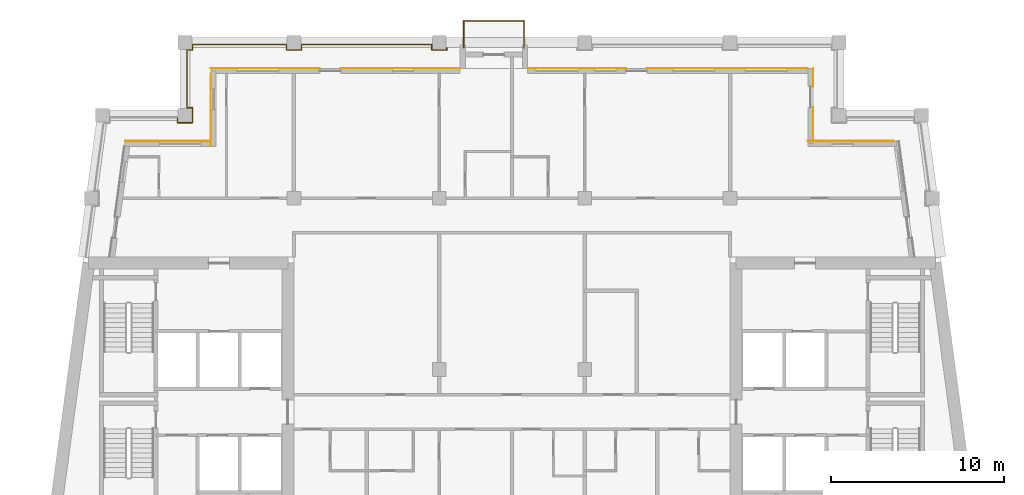
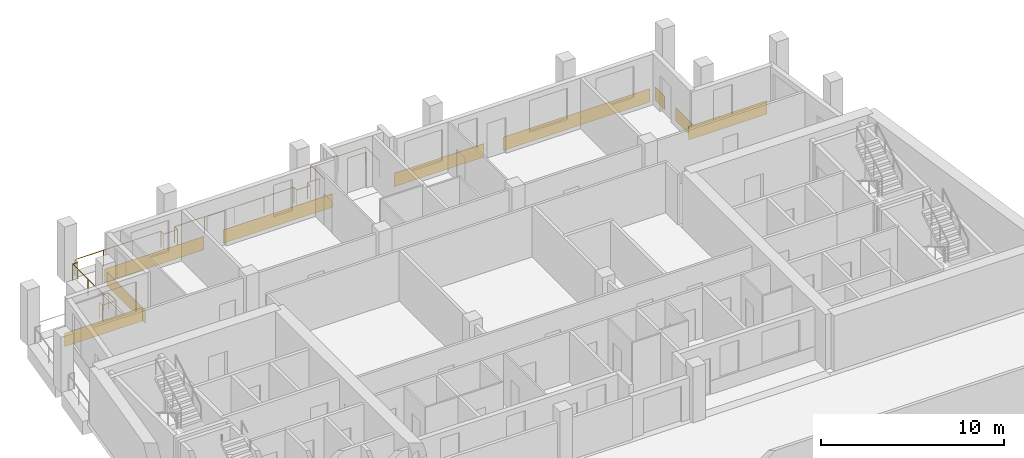
# One storey, part 11 of 12: 9 coverings, 2 railings.
"""IFC4 building model written with IfcOpenShell, lengths in metres."""

from ifc_helpers import new_model, si_unit, direction, frame, origin, origin_2d, place, context, subcontext, project, spatial, rectangle, circle, extrude, material, layer, layer_set, type_object, element, save


model = new_model("IFC4")

# Units and contexts
model_context = context("Model", 3, precision=1e-05, world=origin(), true_north=direction((0.0, 1.0)))
body_context = subcontext(model_context, "Body", "Model", "MODEL_VIEW")
ifc_project = project(units=[si_unit("LENGTHUNIT", "METRE"), si_unit("AREAUNIT", "SQUARE_METRE"), si_unit("VOLUMEUNIT", "CUBIC_METRE"), si_unit("PLANEANGLEUNIT", "RADIAN"), si_unit("MASSUNIT", "GRAM", prefix="KILO")], contexts=[model_context])

# Site, building, storey
site_placement = place(None, origin())
site = spatial("IfcSite", under=ifc_project, at=site_placement, CompositionType="ELEMENT")
building_placement = place(site_placement, origin())
building = spatial("IfcBuilding", under=site, at=building_placement, Name="Candeia Pilgrim Tower and Theatre", CompositionType="ELEMENT")
storey_placement = place(building_placement, frame((0.0, 0.0, 281.199951171875)))
storey = spatial("IfcBuildingStorey", under=building, at=storey_placement, Name="L68", CompositionType="ELEMENT", Elevation=281.199951171875)

# Railings
ifc_material_1 = material(Name="Stainless steel balustrade", Category="steel")
railing_type = type_object("IfcRailingType", Name="G1 loggia guard 1100", PredefinedType="GUARDRAIL", material=ifc_material_1)
railing_1_placement = place(storey_placement, frame((94.070068359375, 140.47998046875, 0.0)))
element("IfcRailing", 1, at=railing_1_placement, inside=storey, type_object=railing_type, Name="Guard L68.1", PredefinedType="GUARDRAIL", context=body_context, shape_type="SweptSolid", body=[
    extrude(circle(Radius=0.02392578125, at=origin_2d()), frame((0.0, 0.0, 1.076171875), z_axis=(0.0, -1.0, 0.0), x_axis=(1.0, 0.0, 0.0)), (0.0, 0.0, 1.0), 0.31005859375),
    extrude(circle(Radius=0.02392578125, at=origin_2d()), frame((0.0, -0.31005859375, 1.076171875), z_axis=(1.0, 0.0, 0.0), x_axis=(0.0, 1.0, 0.0)), (0.0, 0.0, 1.0), 0.85986328125),
    extrude(circle(Radius=0.02392578125, at=origin_2d()), frame((0.85986328125, -0.31005859375, 1.076171875), z_axis=(0.0, 1.0, 0.0), x_axis=(-1.0, 0.0, 0.0)), (0.0, 0.0, 1.0), 0.860107421875),
    extrude(circle(Radius=0.02392578125, at=origin_2d()), frame((0.85986328125, 0.550048828125, 1.076171875), z_axis=(-1.0, 0.0, 0.0), x_axis=(0.0, -1.0, 0.0)), (0.0, 0.0, 1.0), 0.309814453125),
    extrude(circle(Radius=0.02392578125, at=origin_2d()), frame((0.550048828125, 0.550048828125, 1.076171875), z_axis=(0.0, 1.0, 0.0), x_axis=(-1.0, 0.0, 0.0)), (0.0, 0.0, 1.0), 3.340087890625),
    extrude(circle(Radius=0.02392578125, at=origin_2d()), frame((0.550048828125, 3.89013671875, 1.076171875), z_axis=(1.0, 0.0, 0.0), x_axis=(0.0, 1.0, 0.0)), (0.0, 0.0, 1.0), 0.309814453125),
    extrude(circle(Radius=0.02392578125, at=origin_2d()), frame((0.85986328125, 3.89013671875, 1.076171875), z_axis=(0.0, 1.0, 0.0), x_axis=(-1.0, 0.0, 0.0)), (0.0, 0.0, 1.0), 0.309814453125),
    extrude(circle(Radius=0.02392578125, at=origin_2d()), frame((0.85986328125, 4.199951171875, 1.076171875), z_axis=(1.0, 0.0, 0.0), x_axis=(0.0, 1.0, 0.0)), (0.0, 0.0, 1.0), 5.440185546875),
    extrude(circle(Radius=0.02392578125, at=origin_2d()), frame((6.300048828125, 4.199951171875, 1.076171875), z_axis=(0.0, -1.0, 0.0), x_axis=(1.0, 0.0, 0.0)), (0.0, 0.0, 1.0), 0.309814453125),
    extrude(circle(Radius=0.02392578125, at=origin_2d()), frame((6.300048828125, 3.89013671875, 1.076171875), z_axis=(1.0, 0.0, 0.0), x_axis=(0.0, 1.0, 0.0)), (0.0, 0.0, 1.0), 0.85986328125),
    extrude(circle(Radius=0.02392578125, at=origin_2d()), frame((7.159912109375, 3.89013671875, 1.076171875), z_axis=(0.0, 1.0, 0.0), x_axis=(-1.0, 0.0, 0.0)), (0.0, 0.0, 1.0), 0.309814453125),
    extrude(circle(Radius=0.02392578125, at=origin_2d()), frame((7.159912109375, 4.199951171875, 1.076171875), z_axis=(1.0, 0.0, 0.0), x_axis=(0.0, 1.0, 0.0)), (0.0, 0.0, 1.0), 7.5400390625),
    extrude(circle(Radius=0.02392578125, at=origin_2d()), frame((14.699951171875, 4.199951171875, 1.076171875), z_axis=(0.0, -1.0, 0.0), x_axis=(1.0, 0.0, 0.0)), (0.0, 0.0, 1.0), 0.309814453125),
    extrude(circle(Radius=0.02392578125, at=origin_2d()), frame((14.699951171875, 3.89013671875, 1.076171875), z_axis=(1.0, 0.0, 0.0), x_axis=(0.0, 1.0, 0.0)), (0.0, 0.0, 1.0), 0.85986328125),
    extrude(circle(Radius=0.02392578125, at=origin_2d()), frame((15.559814453125, 3.89013671875, 1.076171875), z_axis=(0.0, 1.0, 0.0), x_axis=(-1.0, 0.0, 0.0)), (0.0, 0.0, 1.0), 0.309814453125),
    extrude(circle(Radius=0.02392578125, at=origin_2d()), frame((15.559814453125, 4.199951171875, 1.076171875), z_axis=(1.0, 0.0, 0.0), x_axis=(0.0, 1.0, 0.0)), (0.0, 0.0, 1.0), 0.77001953125),
    extrude(circle(Radius=0.02099609375, at=origin_2d()), origin(), (0.0, 0.0, 1.0), 1.052001953125),
    extrude(circle(Radius=0.02099609375, at=origin_2d()), frame((0.0, -0.31005859375, 0.0)), (0.0, 0.0, 1.0), 1.052001953125),
    extrude(circle(Radius=0.02099609375, at=origin_2d()), frame((0.85986328125, -0.31005859375, 0.0)), (0.0, 0.0, 1.0), 1.052001953125),
    extrude(circle(Radius=0.02099609375, at=origin_2d()), frame((0.85986328125, 0.550048828125, 0.0)), (0.0, 0.0, 1.0), 1.052001953125),
    extrude(circle(Radius=0.02099609375, at=origin_2d()), frame((0.550048828125, 0.550048828125, 0.0)), (0.0, 0.0, 1.0), 1.052001953125),
    extrude(circle(Radius=0.02099609375, at=origin_2d()), frame((0.550048828125, 2.22021484375, 0.0)), (0.0, 0.0, 1.0), 1.052001953125),
    extrude(circle(Radius=0.02099609375, at=origin_2d()), frame((0.550048828125, 3.89013671875, 0.0)), (0.0, 0.0, 1.0), 1.052001953125),
    extrude(circle(Radius=0.02099609375, at=origin_2d()), frame((0.85986328125, 3.89013671875, 0.0)), (0.0, 0.0, 1.0), 1.052001953125),
    extrude(circle(Radius=0.02099609375, at=origin_2d()), frame((0.85986328125, 4.199951171875, 0.0)), (0.0, 0.0, 1.0), 1.052001953125),
    extrude(circle(Radius=0.02099609375, at=origin_2d()), frame((2.67333984375, 4.199951171875, 0.0)), (0.0, 0.0, 1.0), 1.052001953125),
    extrude(circle(Radius=0.02099609375, at=origin_2d()), frame((4.486572265625, 4.199951171875, 0.0)), (0.0, 0.0, 1.0), 1.052001953125),
    extrude(circle(Radius=0.02099609375, at=origin_2d()), frame((6.300048828125, 4.199951171875, 0.0)), (0.0, 0.0, 1.0), 1.052001953125),
    extrude(circle(Radius=0.02099609375, at=origin_2d()), frame((6.300048828125, 3.89013671875, 0.0)), (0.0, 0.0, 1.0), 1.052001953125),
    extrude(circle(Radius=0.02099609375, at=origin_2d()), frame((7.159912109375, 3.89013671875, 0.0)), (0.0, 0.0, 1.0), 1.052001953125),
    extrude(circle(Radius=0.02099609375, at=origin_2d()), frame((7.159912109375, 4.199951171875, 0.0)), (0.0, 0.0, 1.0), 1.052001953125),
    extrude(circle(Radius=0.02099609375, at=origin_2d()), frame((9.044921875, 4.199951171875, 0.0)), (0.0, 0.0, 1.0), 1.052001953125),
    extrude(circle(Radius=0.02099609375, at=origin_2d()), frame((10.929931640625, 4.199951171875, 0.0)), (0.0, 0.0, 1.0), 1.052001953125),
    extrude(circle(Radius=0.02099609375, at=origin_2d()), frame((12.81494140625, 4.199951171875, 0.0)), (0.0, 0.0, 1.0), 1.052001953125),
    extrude(circle(Radius=0.02099609375, at=origin_2d()), frame((14.699951171875, 4.199951171875, 0.0)), (0.0, 0.0, 1.0), 1.052001953125),
    extrude(circle(Radius=0.02099609375, at=origin_2d()), frame((14.699951171875, 3.89013671875, 0.0)), (0.0, 0.0, 1.0), 1.052001953125),
    extrude(circle(Radius=0.02099609375, at=origin_2d()), frame((15.559814453125, 3.89013671875, 0.0)), (0.0, 0.0, 1.0), 1.052001953125),
    extrude(circle(Radius=0.02099609375, at=origin_2d()), frame((15.559814453125, 4.199951171875, 0.0)), (0.0, 0.0, 1.0), 1.052001953125),
    extrude(circle(Radius=0.02099609375, at=origin_2d()), frame((16.329833984375, 4.199951171875, 0.0)), (0.0, 0.0, 1.0), 1.052001953125),
])
railing_2_placement = place(storey_placement, frame((110.610107421875, 144.5, 0.0)))
element("IfcRailing", 2, at=railing_2_placement, inside=storey, type_object=railing_type, Name="Balcony guard L68", PredefinedType="GUARDRAIL", context=body_context, shape_type="SweptSolid", body=[
    extrude(circle(Radius=0.02392578125, at=origin_2d()), frame((0.0, 0.0, 1.076171875), z_axis=(0.0, 1.0, 0.0), x_axis=(-1.0, 0.0, 0.0)), (0.0, 0.0, 1.0), 1.5400390625),
    extrude(circle(Radius=0.02392578125, at=origin_2d()), frame((0.0, 1.5400390625, 1.076171875), z_axis=(1.0, 0.0, 0.0), x_axis=(0.0, 1.0, 0.0)), (0.0, 0.0, 1.0), 3.47998046875),
    extrude(circle(Radius=0.02392578125, at=origin_2d()), frame((3.47998046875, 1.5400390625, 1.076171875), z_axis=(0.0, -1.0, 0.0), x_axis=(1.0, 0.0, 0.0)), (0.0, 0.0, 1.0), 1.5400390625),
    extrude(circle(Radius=0.02099609375, at=origin_2d()), origin(), (0.0, 0.0, 1.0), 1.052001953125),
    extrude(circle(Radius=0.02099609375, at=origin_2d()), frame((0.0, 1.5400390625, 0.0)), (0.0, 0.0, 1.0), 1.052001953125),
    extrude(circle(Radius=0.02099609375, at=origin_2d()), frame((1.739990234375, 1.5400390625, 0.0)), (0.0, 0.0, 1.0), 1.052001953125),
    extrude(circle(Radius=0.02099609375, at=origin_2d()), frame((3.47998046875, 1.5400390625, 0.0)), (0.0, 0.0, 1.0), 1.052001953125),
    extrude(circle(Radius=0.02099609375, at=origin_2d()), frame((3.47998046875, 0.0, 0.0)), (0.0, 0.0, 1.0), 1.052001953125),
])

# Coverings
ifc_material_2 = material(Name="Glazed ceramic tile bottle green")
ifc_layer = layer(ifc_material_2, 0.02001953125)
ifc_layer_set = layer_set([ifc_layer], Name="Glazed ceramic tile bottle green")
covering_type = type_object("IfcCoveringType", Name="Glazed ceramic tile bottle green", PredefinedType="CLADDING", material=ifc_layer_set)
covering_1_placement = place(storey_placement, frame((132.976318359375, 139.110107421875, 0.0), z_axis=(0.0, 0.0, 1.0), x_axis=(-1.0, 0.0, 0.0)))
element("IfcCovering", 3, at=covering_1_placement, inside=storey, type_object=covering_type, Name="Tile cladding bottle green L68", PredefinedType="CLADDING", context=body_context, shape_type="SweptSolid", body=[
    extrude(rectangle(XDim=4.95263671875, YDim=0.02001953125, at=origin_2d()), origin(), (0.0, 0.0, 1.0), 0.89990234375),
])
covering_2_placement = place(storey_placement, frame((130.81005859375, 140.0849609375, 0.0), z_axis=(0.0, 0.0, 1.0), x_axis=(0.0, 1.0, 0.0)))
element("IfcCovering", 4, at=covering_2_placement, inside=storey, type_object=covering_type, Name="Tile cladding bottle green L68", PredefinedType="CLADDING", context=body_context, shape_type="SweptSolid", body=[
    extrude(rectangle(XDim=1.929931640625, YDim=0.02001953125, at=origin_2d()), origin(), (0.0, 0.0, 1.0), 0.89990234375),
])
covering_3_placement = place(storey_placement, frame((130.81005859375, 142.77490234375, 0.0), z_axis=(0.0, 0.0, 1.0), x_axis=(0.0, 1.0, 0.0)))
element("IfcCovering", 5, at=covering_3_placement, inside=storey, type_object=covering_type, Name="Tile cladding bottle green L68", PredefinedType="CLADDING", context=body_context, shape_type="SweptSolid", body=[
    extrude(rectangle(XDim=1.050048828125, YDim=0.02001953125, at=origin_2d()), origin(), (0.0, 0.0, 1.0), 0.89990234375),
])
covering_4_placement = place(storey_placement, frame((125.840087890625, 143.31005859375, 0.0), z_axis=(0.0, 0.0, 1.0), x_axis=(-1.0, 0.0, 0.0)))
element("IfcCovering", 6, at=covering_4_placement, inside=storey, type_object=covering_type, Name="Tile cladding bottle green L68", PredefinedType="CLADDING", context=body_context, shape_type="SweptSolid", body=[
    extrude(rectangle(XDim=9.280029296875, YDim=0.02001953125, at=origin_2d()), origin(), (0.0, 0.0, 1.0), 0.89990234375),
])
covering_5_placement = place(storey_placement, frame((117.14990234375, 143.31005859375, 0.0), z_axis=(0.0, 0.0, 1.0), x_axis=(-1.0, 0.0, 0.0)))
element("IfcCovering", 7, at=covering_5_placement, inside=storey, type_object=covering_type, Name="Tile cladding bottle green L68", PredefinedType="CLADDING", context=body_context, shape_type="SweptSolid", body=[
    extrude(rectangle(XDim=5.699951171875, YDim=0.02001953125, at=origin_2d()), origin(), (0.0, 0.0, 1.0), 0.89990234375),
])
covering_6_placement = place(storey_placement, frame((106.949951171875, 143.31005859375, 0.0), z_axis=(0.0, 0.0, 1.0), x_axis=(-1.0, 0.0, 0.0)))
element("IfcCovering", 8, at=covering_6_placement, inside=storey, type_object=covering_type, Name="Tile cladding bottle green L68", PredefinedType="CLADDING", context=body_context, shape_type="SweptSolid", body=[
    extrude(rectangle(XDim=6.89990234375, YDim=0.02001953125, at=origin_2d()), origin(), (0.0, 0.0, 1.0), 0.89990234375),
])
covering_7_placement = place(storey_placement, frame((99.14990234375, 143.31005859375, 0.0), z_axis=(0.0, 0.0, 1.0), x_axis=(-1.0, 0.0, 0.0)))
element("IfcCovering", 9, at=covering_7_placement, inside=storey, type_object=covering_type, Name="Tile cladding bottle green L68", PredefinedType="CLADDING", context=body_context, shape_type="SweptSolid", body=[
    extrude(rectangle(XDim=6.300048828125, YDim=0.02001953125, at=origin_2d()), origin(), (0.0, 0.0, 1.0), 0.89990234375),
])
covering_8_placement = place(storey_placement, frame((95.989990234375, 140.889892578125, 0.0), z_axis=(0.0, 0.0, 1.0), x_axis=(0.0, -1.0, 0.0)))
element("IfcCovering", 10, at=covering_8_placement, inside=storey, type_object=covering_type, Name="Tile cladding bottle green L68", PredefinedType="CLADDING", context=body_context, shape_type="SweptSolid", body=[
    extrude(rectangle(XDim=4.179931640625, YDim=0.02001953125, at=origin_2d()), origin(), (0.0, 0.0, 1.0), 0.89990234375),
])
covering_9_placement = place(storey_placement, frame((93.51318359375, 139.110107421875, 0.0), z_axis=(0.0, 0.0, 1.0), x_axis=(-1.0, 0.0, 0.0)))
element("IfcCovering", 11, at=covering_9_placement, inside=storey, type_object=covering_type, Name="Tile cladding bottle green L68", PredefinedType="CLADDING", context=body_context, shape_type="SweptSolid", body=[
    extrude(rectangle(XDim=4.933837890625, YDim=0.02001953125, at=origin_2d()), origin(), (0.0, 0.0, 1.0), 0.89990234375),
])

save(model, "model.ifc")
